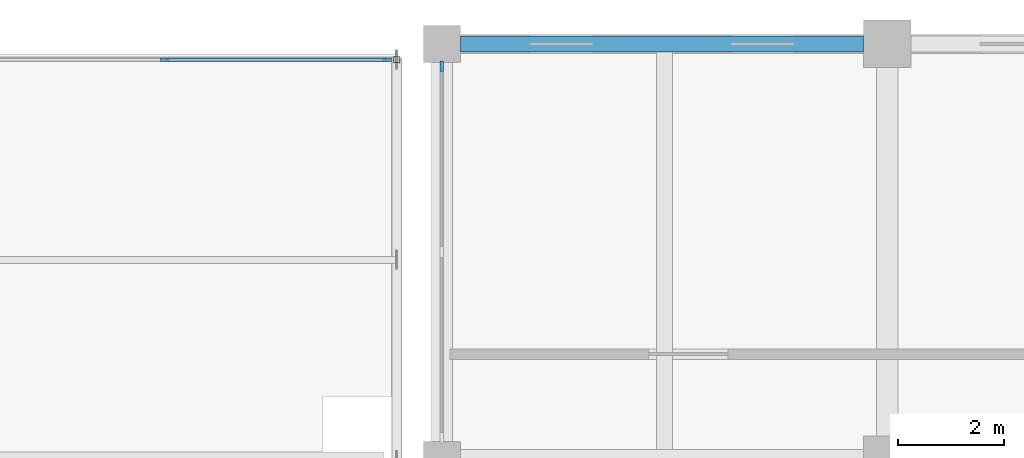
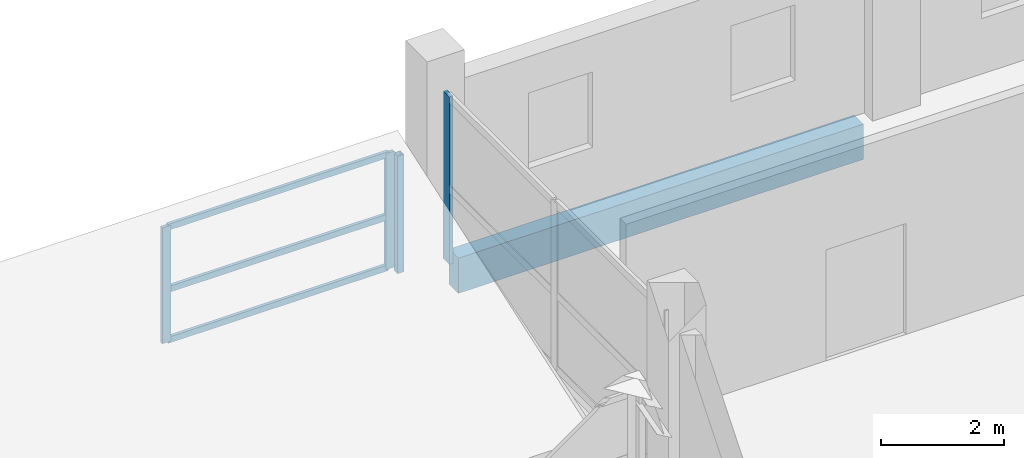
# One storey, part 26 of 40: 7 members, 1 beam, 2 elements without a shape of their own.
"""IFC4 building model written with IfcOpenShell, lengths in metres."""

from ifc_helpers import new_model, si_unit, direction, frame, origin, origin_2d, place, context, subcontext, project, spatial, rectangle, hollow_rectangle, extrude, material, material_profile, profile_set, type_object, element, aggregate, save


model = new_model("IFC4")

# Units and contexts
model_context = context("Model", 3, precision=1e-05, world=origin(), true_north=direction((0.0, 1.0)))
body_context = subcontext(model_context, "Body", "Model", "MODEL_VIEW")
ifc_project = project(units=[si_unit("LENGTHUNIT", "METRE"), si_unit("AREAUNIT", "SQUARE_METRE"), si_unit("VOLUMEUNIT", "CUBIC_METRE"), si_unit("PLANEANGLEUNIT", "RADIAN"), si_unit("MASSUNIT", "GRAM", prefix="KILO")], contexts=[model_context])

# Site, building, storey
site_placement = place(None, origin())
site = spatial("IfcSite", under=ifc_project, at=site_placement, CompositionType="ELEMENT")
building_placement = place(site_placement, origin())
building = spatial("IfcBuilding", under=site, at=building_placement, Name="Brinegate Botanical Conservatory", CompositionType="ELEMENT")
storey_placement = place(building_placement, frame((0.0, 0.0, 19.199951171875)))
storey = spatial("IfcBuildingStorey", under=building, at=storey_placement, Name="L05", CompositionType="ELEMENT", Elevation=19.199951171875)

# Beam
ifc_material_1 = material(Name="Concrete C40/50", Category="concrete")
ifc_material_profile_1 = material_profile(ifc_material_1, rectangle(XDim=0.300048828125, YDim=0.699951171875, at=origin_2d()), Name="RC SPN 300x700")
ifc_profile_set_1 = profile_set([ifc_material_profile_1], Name="Concrete C40/50")
beam_type = type_object("IfcBeamType", Name="Beam_SP-02", PredefinedType="SPANDREL", material=ifc_profile_set_1)
beam_placement = place(storey_placement, frame((122.35009765625, 111.449951171875, -0.58984375), z_axis=(1.0, 0.0, 0.0), x_axis=(0.0, 1.0, 0.0)))
element("IfcBeam", 1, at=beam_placement, inside=storey, type_object=beam_type, Name="Beam SP-02 L05 P:16-17", PredefinedType="SPANDREL", context=body_context, shape_type="SweptSolid", body=[
    extrude(rectangle(XDim=0.300048828125, YDim=0.699951171875, at=origin_2d()), origin(), (0.0, 0.0, 1.0), 7.599853515625),
])

# Curtain wall, members
ifc_material_2 = material(Name="Thermally broken anodised aluminium AW-6063-T6", Category="aluminium")
curtain_wall_type_1 = type_object("IfcCurtainWallType", Name="CW_CW-SAW", PredefinedType="USERDEFINED", material=ifc_material_2)
curtain_wall_1_placement = place(storey_placement, origin())
curtain_wall_1 = element("IfcCurtainWall", 2, at=curtain_wall_1_placement, inside=storey, type_object=curtain_wall_type_1, Name="Sawtooth north-light clerestory B3.8", ObjectType="FACTORY CURTAIN WALL", PredefinedType="USERDEFINED")
ifc_material_profile_2 = material_profile(ifc_material_2, rectangle(XDim=0.06005859375, YDim=0.159912109375, at=origin_2d()), Name="ALUM MULLION 60x160")
ifc_profile_set_2 = profile_set([ifc_material_profile_2], Name="Thermally broken anodised aluminium AW-6063-T6")
member_type_1 = type_object("IfcMemberType", Name="Member_ML-01", PredefinedType="MULLION", material=ifc_profile_set_2)
member_1_placement = place(storey_placement, frame((116.77490234375, 111.14990234375, 0.150146484375), z_axis=(0.0, 0.0, 1.0), x_axis=(0.0, 1.0, 0.0)))
member_1 = element("IfcMember", 3, at=member_1_placement, type_object=member_type_1, Name="CW-SAW mullion 2", PredefinedType="MULLION", context=body_context, shape_type="SweptSolid", body=[
    extrude(rectangle(XDim=0.06005859375, YDim=0.159912109375, at=origin_2d()), origin(), (0.0, 0.0, 1.0), 2.2998046875),
])
member_2_placement = place(storey_placement, frame((120.969970703125, 111.14990234375, 0.150146484375), z_axis=(0.0, 0.0, 1.0), x_axis=(0.0, 1.0, 0.0)))
member_2 = element("IfcMember", 4, at=member_2_placement, type_object=member_type_1, Name="CW-SAW mullion 3", PredefinedType="MULLION", context=body_context, shape_type="SweptSolid", body=[
    extrude(rectangle(XDim=0.06005859375, YDim=0.159912109375, at=origin_2d()), origin(), (0.0, 0.0, 1.0), 2.2998046875),
])

# Curtain wall, member
curtain_wall_type_2 = type_object("IfcCurtainWallType", Name="CW_CW-TW1", PredefinedType="USERDEFINED", material=ifc_material_2)
curtain_wall_2_placement = place(storey_placement, origin())
curtain_wall_2 = element("IfcCurtainWall", 5, at=curtain_wall_2_placement, inside=storey, type_object=curtain_wall_type_2, Name="Tower north-west curtain wall L05", ObjectType="FACTORY CURTAIN WALL", PredefinedType="USERDEFINED")
ifc_material_profile_3 = material_profile(ifc_material_2, rectangle(XDim=0.070068359375, YDim=0.199951171875, at=origin_2d()), Name="ALUM MULLION 70x200")
ifc_profile_set_3 = profile_set([ifc_material_profile_3], Name="Thermally broken anodised aluminium AW-6063-T6")
member_type_2 = type_object("IfcMemberType", Name="Member_ML-03", PredefinedType="MULLION", material=ifc_profile_set_3)
member_3_placement = place(storey_placement, frame((122.0, 111.02490234375, 0.0), z_axis=(0.0, 0.0, 1.0), x_axis=(-1.0, 0.0, 0.0)))
member_3 = element("IfcMember", 6, at=member_3_placement, type_object=member_type_2, Name="CW-TW1 mullion 3", PredefinedType="MULLION", context=body_context, shape_type="SweptSolid", body=[
    extrude(rectangle(XDim=0.070068359375, YDim=0.199951171875, at=origin_2d()), origin(), (0.0, 0.0, 1.0), 3.320068359375),
])
aggregate(curtain_wall_2, [member_3])

# Member
ifc_material_3 = material(Name="Structural steel Q355B / S355", Category="steel")
ifc_material_profile_4 = material_profile(ifc_material_3, hollow_rectangle(XDim=0.1201171875, YDim=0.1201171875, WallThickness=0.006103515625, at=origin_2d()), Name="SHS 120x120x6")
ifc_profile_set_4 = profile_set([ifc_material_profile_4], Name="Structural steel Q355B / S355")
member_type_3 = type_object("IfcMemberType", Name="Member_SS-01", PredefinedType="STRUT", material=ifc_profile_set_4)
member_4_placement = place(storey_placement, frame((121.14990234375, 111.14990234375, 0.02001953125), z_axis=(0.0, 0.0, 1.0), x_axis=(1.0, 0.0, 0.0)))
element("IfcMember", 7, at=member_4_placement, inside=storey, type_object=member_type_3, Name="Sawtooth north clerestory post SS-01 B3.T9", PredefinedType="STRUT", context=body_context, shape_type="SweptSolid", body=[
    extrude(hollow_rectangle(XDim=0.1201171875, YDim=0.1201171875, WallThickness=0.006103515625, at=origin_2d()), origin(), (0.0, 0.0, 1.0), 2.330078125),
])

ifc_material_profile_5 = material_profile(ifc_material_2, rectangle(XDim=0.06005859375, YDim=0.1201171875, at=origin_2d()), Name="ALUM TRANSOM 60x120")
ifc_profile_set_5 = profile_set([ifc_material_profile_5], Name="Thermally broken anodised aluminium AW-6063-T6")
member_type_4 = type_object("IfcMemberType", Name="Member_TR-01", PredefinedType="USERDEFINED", material=ifc_profile_set_5)
member_5_placement = place(storey_placement, frame((116.804931640625, 111.14990234375, 0.179931640625), z_axis=(1.0, 0.0, 0.0), x_axis=(0.0, 1.0, 0.0)))
member_5 = element("IfcMember", 8, at=member_5_placement, type_object=member_type_4, Name="CW-SAW transom 2.1", ObjectType="TRANSOM", PredefinedType="USERDEFINED", context=body_context, shape_type="SweptSolid", body=[
    extrude(rectangle(XDim=0.06005859375, YDim=0.1201171875, at=origin_2d()), origin(), (0.0, 0.0, 1.0), 4.135009765625),
])

member_6_placement = place(storey_placement, frame((116.804931640625, 111.14990234375, 1.18505859375), z_axis=(1.0, 0.0, 0.0), x_axis=(0.0, 1.0, 0.0)))
member_6 = element("IfcMember", 9, at=member_6_placement, type_object=member_type_4, Name="CW-SAW transom 2.2", ObjectType="TRANSOM", PredefinedType="USERDEFINED", context=body_context, shape_type="SweptSolid", body=[
    extrude(rectangle(XDim=0.06005859375, YDim=0.1201171875, at=origin_2d()), origin(), (0.0, 0.0, 1.0), 4.135009765625),
])

member_7_placement = place(storey_placement, frame((116.804931640625, 111.14990234375, 2.420166015625), z_axis=(1.0, 0.0, 0.0), x_axis=(0.0, 1.0, 0.0)))
member_7 = element("IfcMember", 10, at=member_7_placement, type_object=member_type_4, Name="CW-SAW transom 2.3", ObjectType="TRANSOM", PredefinedType="USERDEFINED", context=body_context, shape_type="SweptSolid", body=[
    extrude(rectangle(XDim=0.06005859375, YDim=0.1201171875, at=origin_2d()), origin(), (0.0, 0.0, 1.0), 4.135009765625),
])

aggregate(curtain_wall_1, [member_1, member_2, member_5, member_6, member_7])

save(model, "model.ifc")
